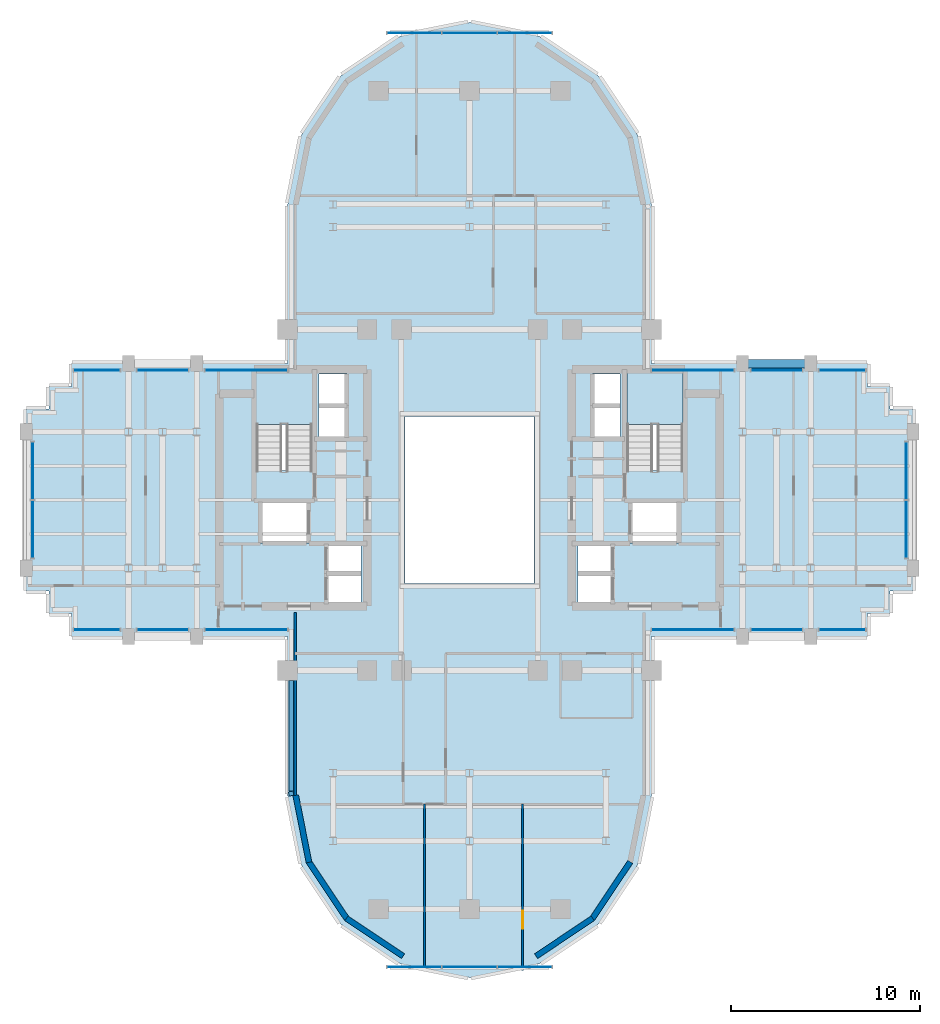
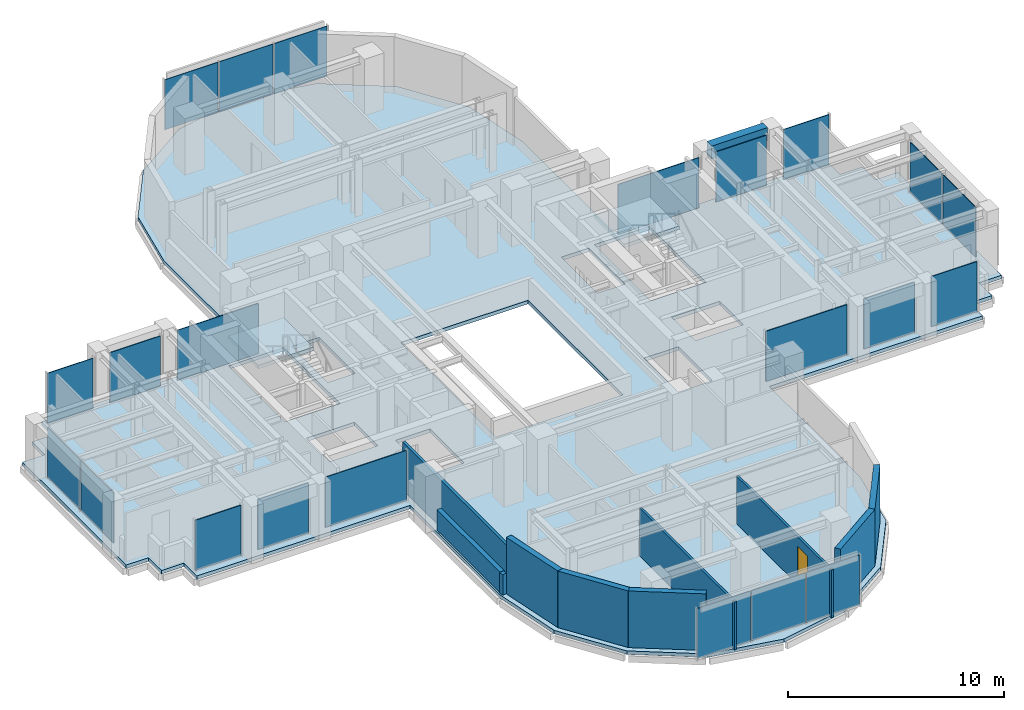
# One storey, part 7 of 14: 22 plates, 10 walls, 3 slabs, 1 beam, 1 door, 1 opening, 18 elements without a shape of their own.
"""IFC4 building model written with IfcOpenShell, lengths in metres."""

from ifc_helpers import new_model, si_unit, direction, frame, frame_2d, origin, origin_2d, place, context, subcontext, project, spatial, polyline, rectangle, outline, extrude, source, transform, mapped, material, layer, layer_set, material_profile, profile_set, type_object, element, fill, aggregate, save


model = new_model("IFC4")

# Units and contexts
model_context = context("Model", 3, precision=1e-05, world=origin(), true_north=direction((0.0, 1.0)))
body_context = subcontext(model_context, "Body", "Model", "MODEL_VIEW")
ifc_project = project(units=[si_unit("LENGTHUNIT", "METRE"), si_unit("AREAUNIT", "SQUARE_METRE"), si_unit("VOLUMEUNIT", "CUBIC_METRE"), si_unit("PLANEANGLEUNIT", "RADIAN"), si_unit("MASSUNIT", "GRAM", prefix="KILO")], contexts=[model_context])

# Site, building, storey
site_placement = place(None, origin())
site = spatial("IfcSite", under=ifc_project, at=site_placement, CompositionType="ELEMENT")
building_placement = place(site_placement, origin())
building = spatial("IfcBuilding", under=site, at=building_placement, Name="Keilestroom Media Tower", CompositionType="ELEMENT")
storey_placement = place(building_placement, frame((0.0, 0.0, 124.39990234375)))
storey = spatial("IfcBuildingStorey", under=building, at=storey_placement, Name="L33", CompositionType="ELEMENT", Elevation=124.39990234375)

# Beam
ifc_material_1 = material(Name="Precast concrete C40/50", Category="concrete")
ifc_material_profile = material_profile(ifc_material_1, rectangle(XDim=0.449951171875, YDim=0.75, at=origin_2d()), Name="PC 450x750")
ifc_profile_set = profile_set([ifc_material_profile], Name="Precast concrete C40/50")
beam_type = type_object("IfcBeamType", Name="Perimeter-Spandrel-Beam-PC-450x750", PredefinedType="SPANDREL", material=ifc_profile_set)
shared_shape_1 = source(origin(), body_context, "Body", "SweptSolid", [
    extrude(rectangle(XDim=0.449951171875, YDim=0.75, at=origin_2d()), origin(), (0.0, 0.0, 1.0), 2.989990234375),
])
beam_placement = place(storey_placement, frame((14.705078125, 7.199951171875, 2.8251953125), z_axis=(1.0, 0.0, 0.0), x_axis=(0.0, 1.0, 0.0)))
element("IfcBeam", 1, at=beam_placement, inside=storey, type_object=beam_type, Name="L33 Beam SPB-1 BM-L33-EW-027", PredefinedType="SPANDREL", context=body_context, shape_type="MappedRepresentation", body=[
    mapped(shared_shape_1, transform((0.0, 0.0, 0.0), x_axis=(1.0, 0.0, 0.0), y_axis=(0.0, 1.0, 0.0), z_axis=(0.0, 0.0, 1.0), scale=1.0)),
])

# Slab
ifc_material_2 = material(Name="Concrete C50/60", Category="concrete")
ifc_layer_1 = layer(ifc_material_2, 0.199951171875)
ifc_layer_set_1 = layer_set([ifc_layer_1], Name="Concrete C50/60")
slab_type_1 = type_object("IfcSlabType", Name="Composite-Floor-Slab-200", PredefinedType="FLOOR", material=ifc_layer_set_1)
slab_1_placement = place(storey_placement, frame((0.0, 0.0, -0.199951171875)))
element("IfcSlab", 2, at=slab_1_placement, inside=storey, type_object=slab_type_1, Name="L33 Structural Composite Floor Slab", PredefinedType="FLOOR", context=body_context, shape_type="SweptSolid", body=[
    extrude(outline(polyline([(23.39990234375, -4.800048828125), (23.39990234375, 4.800048828125), (22.199951171875, 4.800048828125), (22.199951171875, 6.0), (21.0, 6.0), (21.0, 7.199951171875), (9.60009765625, 7.199951171875), (9.60009765625, 9.60009765625), (9.60009765625, 15.60009765625), (8.869140625, 19.273681640625), (6.7880859375, 22.38818359375), (3.673828125, 24.46923828125), (0.0, 25.199951171875), (-3.673828125, 24.46923828125), (-6.7880859375, 22.38818359375), (-8.869140625, 19.273681640625), (-9.60009765625, 15.60009765625), (-9.60009765625, 9.60009765625), (-9.60009765625, 7.199951171875), (-21.0, 7.199951171875), (-21.0, 6.0), (-22.199951171875, 6.0), (-22.199951171875, 4.800048828125), (-23.39990234375, 4.800048828125), (-23.39990234375, -4.800048828125), (-22.199951171875, -4.800048828125), (-22.199951171875, -6.0), (-21.0, -6.0), (-21.0, -7.199951171875), (-9.60009765625, -7.199951171875), (-9.60009765625, -9.60009765625), (-9.60009765625, -15.60009765625), (-8.869140625, -19.273681640625), (-6.7880859375, -22.38818359375), (-3.673828125, -24.46923828125), (0.0, -25.199951171875), (3.673828125, -24.46923828125), (6.7880859375, -22.38818359375), (8.869140625, -19.273681640625), (9.60009765625, -15.60009765625), (9.60009765625, -9.60009765625), (9.60009765625, -7.199951171875), (21.0, -7.199951171875), (21.0, -6.0), (22.199951171875, -6.0), (22.199951171875, -4.800048828125), (23.39990234375, -4.800048828125)]), holes=[polyline([(-11.260009765625, 1.544921875), (-11.260009765625, 6.760009765625), (-8.300048828125, 6.760009765625), (-8.300048828125, 1.544921875), (-11.260009765625, 1.544921875)]), polyline([(-11.050048828125, -2.280029296875), (-11.050048828125, -0.10009765625), (-8.47998046875, -0.10009765625), (-8.47998046875, -2.280029296875), (-11.050048828125, -2.280029296875)]), polyline([(-7.949951171875, 3.300048828125), (-7.949951171875, 6.64990234375), (-6.47998046875, 6.64990234375), (-6.47998046875, 3.300048828125), (-7.949951171875, 3.300048828125)]), polyline([(-7.56005859375, -2.320068359375), (-5.719970703125, -2.320068359375), (-5.719970703125, -5.47998046875), (-7.56005859375, -5.47998046875), (-7.56005859375, -2.320068359375)]), polyline([(3.39990234375, -4.39990234375), (-3.39990234375, -4.39990234375), (-3.39990234375, 4.39990234375), (3.39990234375, 4.39990234375), (3.39990234375, -4.39990234375)]), polyline([(7.56005859375, -2.320068359375), (7.56005859375, -5.47998046875), (5.719970703125, -5.47998046875), (5.719970703125, -2.320068359375), (7.56005859375, -2.320068359375)]), polyline([(6.47998046875, 3.300048828125), (6.47998046875, 6.64990234375), (7.949951171875, 6.64990234375), (7.949951171875, 3.300048828125), (6.47998046875, 3.300048828125)]), polyline([(8.300048828125, 1.544921875), (8.300048828125, 6.760009765625), (11.260009765625, 6.760009765625), (11.260009765625, 1.544921875), (8.300048828125, 1.544921875)]), polyline([(8.47998046875, -2.280029296875), (8.47998046875, -0.10009765625), (11.050048828125, -0.10009765625), (11.050048828125, -2.280029296875), (8.47998046875, -2.280029296875)])]), origin(), (0.0, 0.0, 1.0), 0.199951171875),
])

# Stair, slab
ifc_material_3 = material(Name="Concrete C45/55", Category="concrete")
stair_type = type_object("IfcStairType", Name="Enclosed-Dog-Leg-Stair-ST-CORE", PredefinedType="HALF_TURN_STAIR", material=ifc_material_3)
stair_1_placement = place(storey_placement, origin())
stair_1 = element("IfcStair", 3, at=stair_1_placement, inside=storey, type_object=stair_type, Name="L33 West Core Escape Stair ST-1", PredefinedType="HALF_TURN_STAIR")
ifc_layer_2 = layer(ifc_material_3, 0.199951171875)
ifc_layer_set_2 = layer_set([ifc_layer_2], Name="Concrete C45/55")
slab_type_2 = type_object("IfcSlabType", Name="Stair-Intermediate-And-Top-Landing-Slab-200", PredefinedType="LANDING", material=ifc_layer_set_2)
slab_2_placement = place(storey_placement, frame((0.0, 0.0, 1.5)))
slab_2 = element("IfcSlab", 4, at=slab_2_placement, type_object=slab_type_2, Name="ST-1 landing 1", PredefinedType="LANDING", context=body_context, shape_type="SweptSolid", body=[
    extrude(outline(polyline([(-8.300048828125, 3.99609375), (-8.300048828125, 6.760009765625), (-11.260009765625, 6.760009765625), (-11.260009765625, 3.99609375), (-8.300048828125, 3.99609375)])), origin(), (0.0, 0.0, 1.0), 0.2001953125),
])
aggregate(stair_1, [slab_2])

stair_2_placement = place(storey_placement, origin())
stair_2 = element("IfcStair", 5, at=stair_2_placement, inside=storey, type_object=stair_type, Name="L33 East Core Escape Stair ST-2", PredefinedType="HALF_TURN_STAIR")
slab_3_placement = place(storey_placement, frame((0.0, 0.0, 1.5)))
slab_3 = element("IfcSlab", 6, at=slab_3_placement, type_object=slab_type_2, Name="ST-2 landing 1", PredefinedType="LANDING", context=body_context, shape_type="SweptSolid", body=[
    extrude(outline(polyline([(11.260009765625, 3.99609375), (11.260009765625, 6.760009765625), (8.300048828125, 6.760009765625), (8.300048828125, 3.99609375), (11.260009765625, 3.99609375)])), origin(), (0.0, 0.0, 1.0), 0.2001953125),
])
aggregate(stair_2, [slab_3])

# Curtain wall, plates
ifc_material_4 = material(Name="Anodised Aluminium Alloy", Category="aluminium")
curtain_wall_type_1 = type_object("IfcCurtainWallType", Name="Unitised-Curtain-Wall-CW-6", PredefinedType="NOTDEFINED", material=ifc_material_4)
curtain_wall_1_placement = place(storey_placement, origin())
curtain_wall_1 = element("IfcCurtainWall", 7, at=curtain_wall_1_placement, inside=storey, type_object=curtain_wall_type_1, Name="L33 Curtain Wall CW-6 CW-L33-LN-1", PredefinedType="NOTDEFINED")
ifc_material_5 = material(Name="Curved-Facet Triple Glazed Unit", Category="glass")
ifc_layer_3 = layer(ifc_material_5, 0.033935546875)
ifc_layer_set_3 = layer_set([ifc_layer_3], Name="Curved-Facet Triple Glazed Unit")
plate_type_1 = type_object("IfcPlateType", Name="Insulated-Curtain-Wall-Glazing-Panel-CW-6", PredefinedType="CURTAIN_PANEL", material=ifc_layer_set_3)
shared_shape_2 = source(origin(), body_context, "Body", "SweptSolid", [
    extrude(rectangle(XDim=2.84375, YDim=0.033935546875, at=origin_2d()), origin(), (0.0, 0.0, 1.0), 2.833984375),
])
plate_1_placement = place(storey_placement, frame((-2.9169921875, 24.64990234375, 0.072998046875), z_axis=(0.0, 0.0, 1.0), x_axis=(1.0, 0.0, 0.0)))
plate_1 = element("IfcPlate", 8, at=plate_1_placement, type_object=plate_type_1, Name="CW-6 Unitised Glazing 00", PredefinedType="CURTAIN_PANEL", context=body_context, shape_type="MappedRepresentation", body=[
    mapped(shared_shape_2, transform((0.0, 0.0, 0.0), x_axis=(1.0, 0.0, 0.0), y_axis=(0.0, 1.0, 0.0), z_axis=(0.0, 0.0, 1.0), scale=1.0)),
])
plate_2_placement = place(storey_placement, frame((2.9169921875, 24.64990234375, 0.072998046875), z_axis=(0.0, 0.0, 1.0), x_axis=(1.0, 0.0, 0.0)))
plate_2 = element("IfcPlate", 9, at=plate_2_placement, type_object=plate_type_1, Name="CW-6 Unitised Glazing 02", PredefinedType="CURTAIN_PANEL", context=body_context, shape_type="MappedRepresentation", body=[
    mapped(shared_shape_2, transform((0.0, 0.0, 0.0), x_axis=(1.0, 0.0, 0.0), y_axis=(0.0, 1.0, 0.0), z_axis=(0.0, 0.0, 1.0), scale=1.0)),
])

curtain_wall_2_placement = place(storey_placement, origin())
curtain_wall_2 = element("IfcCurtainWall", 10, at=curtain_wall_2_placement, inside=storey, type_object=curtain_wall_type_1, Name="L33 Curtain Wall CW-6 CW-L33-LS-1", PredefinedType="NOTDEFINED")
plate_3_placement = place(storey_placement, frame((-2.9169921875, -24.64990234375, 0.072998046875), z_axis=(0.0, 0.0, 1.0), x_axis=(1.0, 0.0, 0.0)))
plate_3 = element("IfcPlate", 11, at=plate_3_placement, type_object=plate_type_1, Name="CW-6 Unitised Glazing 00", PredefinedType="CURTAIN_PANEL", context=body_context, shape_type="MappedRepresentation", body=[
    mapped(shared_shape_2, transform((0.0, 0.0, 0.0), x_axis=(1.0, 0.0, 0.0), y_axis=(0.0, 1.0, 0.0), z_axis=(0.0, 0.0, 1.0), scale=1.0)),
])
plate_4_placement = place(storey_placement, frame((2.9169921875, -24.64990234375, 0.072998046875), z_axis=(0.0, 0.0, 1.0), x_axis=(1.0, 0.0, 0.0)))
plate_4 = element("IfcPlate", 12, at=plate_4_placement, type_object=plate_type_1, Name="CW-6 Unitised Glazing 02", PredefinedType="CURTAIN_PANEL", context=body_context, shape_type="MappedRepresentation", body=[
    mapped(shared_shape_2, transform((0.0, 0.0, 0.0), x_axis=(1.0, 0.0, 0.0), y_axis=(0.0, 1.0, 0.0), z_axis=(0.0, 0.0, 1.0), scale=1.0)),
])

# Plate
shared_shape_3 = source(origin(), body_context, "Body", "SweptSolid", [
    extrude(rectangle(XDim=2.876220703125, YDim=0.033935546875, at=origin_2d()), origin(), (0.0, 0.0, 1.0), 2.833984375),
])
plate_5_placement = place(storey_placement, frame((0.0, 24.64990234375, 0.072998046875), z_axis=(0.0, 0.0, 1.0), x_axis=(1.0, 0.0, 0.0)))
plate_5 = element("IfcPlate", 13, at=plate_5_placement, type_object=plate_type_1, Name="CW-6 Unitised Glazing 01", PredefinedType="CURTAIN_PANEL", context=body_context, shape_type="MappedRepresentation", body=[
    mapped(shared_shape_3, transform((0.0, 0.0, 0.0), x_axis=(1.0, 0.0, 0.0), y_axis=(0.0, 1.0, 0.0), z_axis=(0.0, 0.0, 1.0), scale=1.0)),
])

aggregate(curtain_wall_1, [plate_1, plate_5, plate_2])

plate_6_placement = place(storey_placement, frame((0.0, -24.64990234375, 0.072998046875), z_axis=(0.0, 0.0, 1.0), x_axis=(1.0, 0.0, 0.0)))
plate_6 = element("IfcPlate", 14, at=plate_6_placement, type_object=plate_type_1, Name="CW-6 Unitised Glazing 01", PredefinedType="CURTAIN_PANEL", context=body_context, shape_type="MappedRepresentation", body=[
    mapped(shared_shape_3, transform((0.0, 0.0, 0.0), x_axis=(1.0, 0.0, 0.0), y_axis=(0.0, 1.0, 0.0), z_axis=(0.0, 0.0, 1.0), scale=1.0)),
])

aggregate(curtain_wall_2, [plate_3, plate_6, plate_4])

# Curtain wall, plate
curtain_wall_type_2 = type_object("IfcCurtainWallType", Name="Unitised-Curtain-Wall-CW-2", PredefinedType="NOTDEFINED", material=ifc_material_4)
curtain_wall_3_placement = place(storey_placement, origin())
curtain_wall_3 = element("IfcCurtainWall", 15, at=curtain_wall_3_placement, inside=storey, type_object=curtain_wall_type_2, Name="L33 Curtain Wall CW-2 CW-L33-NW-1", PredefinedType="NOTDEFINED")
ifc_material_6 = material(Name="Double Glazed Low-E Unit", Category="glass")
ifc_layer_4 = layer(ifc_material_6, 0.0419921875)
ifc_layer_set_4 = layer_set([ifc_layer_4], Name="Double Glazed Low-E Unit")
plate_type_2 = type_object("IfcPlateType", Name="Insulated-Curtain-Wall-Glazing-Panel-CW-2", PredefinedType="CURTAIN_PANEL", material=ifc_layer_set_4)
shared_shape_4 = source(origin(), body_context, "Body", "SweptSolid", [
    extrude(rectangle(XDim=2.43310546875, YDim=0.0419921875, at=origin_2d()), origin(), (0.0, 0.0, 1.0), 2.833984375),
])
plate_7_placement = place(storey_placement, frame((-19.66748046875, 6.85009765625, 0.072998046875), z_axis=(0.0, 0.0, 1.0), x_axis=(1.0, 0.0, 0.0)))
plate_7 = element("IfcPlate", 16, at=plate_7_placement, type_object=plate_type_2, Name="CW-2 Unitised Glazing 00", PredefinedType="CURTAIN_PANEL", context=body_context, shape_type="MappedRepresentation", body=[
    mapped(shared_shape_4, transform((0.0, 0.0, 0.0), x_axis=(1.0, 0.0, 0.0), y_axis=(0.0, 1.0, 0.0), z_axis=(0.0, 0.0, 1.0), scale=1.0)),
])
aggregate(curtain_wall_3, [plate_7])

curtain_wall_4_placement = place(storey_placement, origin())
curtain_wall_4 = element("IfcCurtainWall", 17, at=curtain_wall_4_placement, inside=storey, type_object=curtain_wall_type_2, Name="L33 Curtain Wall CW-2 CW-L33-NE-3", PredefinedType="NOTDEFINED")
plate_8_placement = place(storey_placement, frame((19.66748046875, 6.85009765625, 0.072998046875), z_axis=(0.0, 0.0, 1.0), x_axis=(1.0, 0.0, 0.0)))
plate_8 = element("IfcPlate", 18, at=plate_8_placement, type_object=plate_type_2, Name="CW-2 Unitised Glazing 00", PredefinedType="CURTAIN_PANEL", context=body_context, shape_type="MappedRepresentation", body=[
    mapped(shared_shape_4, transform((0.0, 0.0, 0.0), x_axis=(1.0, 0.0, 0.0), y_axis=(0.0, 1.0, 0.0), z_axis=(0.0, 0.0, 1.0), scale=1.0)),
])
aggregate(curtain_wall_4, [plate_8])

curtain_wall_5_placement = place(storey_placement, origin())
curtain_wall_5 = element("IfcCurtainWall", 19, at=curtain_wall_5_placement, inside=storey, type_object=curtain_wall_type_2, Name="L33 Curtain Wall CW-2 CW-L33-SW-1", PredefinedType="NOTDEFINED")
plate_9_placement = place(storey_placement, frame((-19.66748046875, -6.85009765625, 0.072998046875), z_axis=(0.0, 0.0, 1.0), x_axis=(1.0, 0.0, 0.0)))
plate_9 = element("IfcPlate", 20, at=plate_9_placement, type_object=plate_type_2, Name="CW-2 Unitised Glazing 00", PredefinedType="CURTAIN_PANEL", context=body_context, shape_type="MappedRepresentation", body=[
    mapped(shared_shape_4, transform((0.0, 0.0, 0.0), x_axis=(1.0, 0.0, 0.0), y_axis=(0.0, 1.0, 0.0), z_axis=(0.0, 0.0, 1.0), scale=1.0)),
])
aggregate(curtain_wall_5, [plate_9])

curtain_wall_6_placement = place(storey_placement, origin())
curtain_wall_6 = element("IfcCurtainWall", 21, at=curtain_wall_6_placement, inside=storey, type_object=curtain_wall_type_2, Name="L33 Curtain Wall CW-2 CW-L33-SE-3", PredefinedType="NOTDEFINED")
plate_10_placement = place(storey_placement, frame((19.66748046875, -6.85009765625, 0.072998046875), z_axis=(0.0, 0.0, 1.0), x_axis=(1.0, 0.0, 0.0)))
plate_10 = element("IfcPlate", 22, at=plate_10_placement, type_object=plate_type_2, Name="CW-2 Unitised Glazing 00", PredefinedType="CURTAIN_PANEL", context=body_context, shape_type="MappedRepresentation", body=[
    mapped(shared_shape_4, transform((0.0, 0.0, 0.0), x_axis=(1.0, 0.0, 0.0), y_axis=(0.0, 1.0, 0.0), z_axis=(0.0, 0.0, 1.0), scale=1.0)),
])
aggregate(curtain_wall_6, [plate_10])

curtain_wall_7_placement = place(storey_placement, origin())
curtain_wall_7 = element("IfcCurtainWall", 23, at=curtain_wall_7_placement, inside=storey, type_object=curtain_wall_type_2, Name="L33 Curtain Wall CW-2 CW-L33-NW-2", PredefinedType="NOTDEFINED")
shared_shape_5 = source(origin(), body_context, "Body", "SweptSolid", [
    extrude(rectangle(XDim=2.697998046875, YDim=0.0419921875, at=origin_2d()), origin(), (0.0, 0.0, 1.0), 2.833984375),
])
plate_11_placement = place(storey_placement, frame((-16.199951171875, 6.85009765625, 0.072998046875), z_axis=(0.0, 0.0, 1.0), x_axis=(1.0, 0.0, 0.0)))
plate_11 = element("IfcPlate", 24, at=plate_11_placement, type_object=plate_type_2, Name="CW-2 Unitised Glazing 00", PredefinedType="CURTAIN_PANEL", context=body_context, shape_type="MappedRepresentation", body=[
    mapped(shared_shape_5, transform((0.0, 0.0, 0.0), x_axis=(1.0, 0.0, 0.0), y_axis=(0.0, 1.0, 0.0), z_axis=(0.0, 0.0, 1.0), scale=1.0)),
])
aggregate(curtain_wall_7, [plate_11])

curtain_wall_8_placement = place(storey_placement, origin())
curtain_wall_8 = element("IfcCurtainWall", 25, at=curtain_wall_8_placement, inside=storey, type_object=curtain_wall_type_2, Name="L33 Curtain Wall CW-2 CW-L33-NE-2", PredefinedType="NOTDEFINED")
plate_12_placement = place(storey_placement, frame((16.199951171875, 6.85009765625, 0.072998046875), z_axis=(0.0, 0.0, 1.0), x_axis=(1.0, 0.0, 0.0)))
plate_12 = element("IfcPlate", 26, at=plate_12_placement, type_object=plate_type_2, Name="CW-2 Unitised Glazing 00", PredefinedType="CURTAIN_PANEL", context=body_context, shape_type="MappedRepresentation", body=[
    mapped(shared_shape_5, transform((0.0, 0.0, 0.0), x_axis=(1.0, 0.0, 0.0), y_axis=(0.0, 1.0, 0.0), z_axis=(0.0, 0.0, 1.0), scale=1.0)),
])
aggregate(curtain_wall_8, [plate_12])

curtain_wall_9_placement = place(storey_placement, origin())
curtain_wall_9 = element("IfcCurtainWall", 27, at=curtain_wall_9_placement, inside=storey, type_object=curtain_wall_type_2, Name="L33 Curtain Wall CW-2 CW-L33-SW-2", PredefinedType="NOTDEFINED")
plate_13_placement = place(storey_placement, frame((-16.199951171875, -6.85009765625, 0.072998046875), z_axis=(0.0, 0.0, 1.0), x_axis=(1.0, 0.0, 0.0)))
plate_13 = element("IfcPlate", 28, at=plate_13_placement, type_object=plate_type_2, Name="CW-2 Unitised Glazing 00", PredefinedType="CURTAIN_PANEL", context=body_context, shape_type="MappedRepresentation", body=[
    mapped(shared_shape_5, transform((0.0, 0.0, 0.0), x_axis=(1.0, 0.0, 0.0), y_axis=(0.0, 1.0, 0.0), z_axis=(0.0, 0.0, 1.0), scale=1.0)),
])
aggregate(curtain_wall_9, [plate_13])

curtain_wall_10_placement = place(storey_placement, origin())
curtain_wall_10 = element("IfcCurtainWall", 29, at=curtain_wall_10_placement, inside=storey, type_object=curtain_wall_type_2, Name="L33 Curtain Wall CW-2 CW-L33-SE-2", PredefinedType="NOTDEFINED")
plate_14_placement = place(storey_placement, frame((16.199951171875, -6.85009765625, 0.072998046875), z_axis=(0.0, 0.0, 1.0), x_axis=(1.0, 0.0, 0.0)))
plate_14 = element("IfcPlate", 30, at=plate_14_placement, type_object=plate_type_2, Name="CW-2 Unitised Glazing 00", PredefinedType="CURTAIN_PANEL", context=body_context, shape_type="MappedRepresentation", body=[
    mapped(shared_shape_5, transform((0.0, 0.0, 0.0), x_axis=(1.0, 0.0, 0.0), y_axis=(0.0, 1.0, 0.0), z_axis=(0.0, 0.0, 1.0), scale=1.0)),
])
aggregate(curtain_wall_10, [plate_14])

curtain_wall_11_placement = place(storey_placement, origin())
curtain_wall_11 = element("IfcCurtainWall", 31, at=curtain_wall_11_placement, inside=storey, type_object=curtain_wall_type_2, Name="L33 Curtain Wall CW-2 CW-L33-NW-3", PredefinedType="NOTDEFINED")
shared_shape_6 = source(origin(), body_context, "Body", "SweptSolid", [
    extrude(rectangle(XDim=4.3330078125, YDim=0.0419921875, at=origin_2d()), origin(), (0.0, 0.0, 1.0), 2.833984375),
])
plate_15_placement = place(storey_placement, frame((-11.782470703125, 6.85009765625, 0.072998046875), z_axis=(0.0, 0.0, 1.0), x_axis=(1.0, 0.0, 0.0)))
plate_15 = element("IfcPlate", 32, at=plate_15_placement, type_object=plate_type_2, Name="CW-2 Unitised Glazing 00", PredefinedType="CURTAIN_PANEL", context=body_context, shape_type="MappedRepresentation", body=[
    mapped(shared_shape_6, transform((0.0, 0.0, 0.0), x_axis=(1.0, 0.0, 0.0), y_axis=(0.0, 1.0, 0.0), z_axis=(0.0, 0.0, 1.0), scale=1.0)),
])
aggregate(curtain_wall_11, [plate_15])

curtain_wall_12_placement = place(storey_placement, origin())
curtain_wall_12 = element("IfcCurtainWall", 33, at=curtain_wall_12_placement, inside=storey, type_object=curtain_wall_type_2, Name="L33 Curtain Wall CW-2 CW-L33-NE-1", PredefinedType="NOTDEFINED")
plate_16_placement = place(storey_placement, frame((11.782470703125, 6.85009765625, 0.072998046875), z_axis=(0.0, 0.0, 1.0), x_axis=(1.0, 0.0, 0.0)))
plate_16 = element("IfcPlate", 34, at=plate_16_placement, type_object=plate_type_2, Name="CW-2 Unitised Glazing 00", PredefinedType="CURTAIN_PANEL", context=body_context, shape_type="MappedRepresentation", body=[
    mapped(shared_shape_6, transform((0.0, 0.0, 0.0), x_axis=(1.0, 0.0, 0.0), y_axis=(0.0, 1.0, 0.0), z_axis=(0.0, 0.0, 1.0), scale=1.0)),
])
aggregate(curtain_wall_12, [plate_16])

curtain_wall_13_placement = place(storey_placement, origin())
curtain_wall_13 = element("IfcCurtainWall", 35, at=curtain_wall_13_placement, inside=storey, type_object=curtain_wall_type_2, Name="L33 Curtain Wall CW-2 CW-L33-SW-3", PredefinedType="NOTDEFINED")
plate_17_placement = place(storey_placement, frame((-11.782470703125, -6.85009765625, 0.072998046875), z_axis=(0.0, 0.0, 1.0), x_axis=(1.0, 0.0, 0.0)))
plate_17 = element("IfcPlate", 36, at=plate_17_placement, type_object=plate_type_2, Name="CW-2 Unitised Glazing 00", PredefinedType="CURTAIN_PANEL", context=body_context, shape_type="MappedRepresentation", body=[
    mapped(shared_shape_6, transform((0.0, 0.0, 0.0), x_axis=(1.0, 0.0, 0.0), y_axis=(0.0, 1.0, 0.0), z_axis=(0.0, 0.0, 1.0), scale=1.0)),
])
aggregate(curtain_wall_13, [plate_17])

curtain_wall_14_placement = place(storey_placement, origin())
curtain_wall_14 = element("IfcCurtainWall", 37, at=curtain_wall_14_placement, inside=storey, type_object=curtain_wall_type_2, Name="L33 Curtain Wall CW-2 CW-L33-SE-1", PredefinedType="NOTDEFINED")
plate_18_placement = place(storey_placement, frame((11.782470703125, -6.85009765625, 0.072998046875), z_axis=(0.0, 0.0, 1.0), x_axis=(1.0, 0.0, 0.0)))
plate_18 = element("IfcPlate", 38, at=plate_18_placement, type_object=plate_type_2, Name="CW-2 Unitised Glazing 00", PredefinedType="CURTAIN_PANEL", context=body_context, shape_type="MappedRepresentation", body=[
    mapped(shared_shape_6, transform((0.0, 0.0, 0.0), x_axis=(1.0, 0.0, 0.0), y_axis=(0.0, 1.0, 0.0), z_axis=(0.0, 0.0, 1.0), scale=1.0)),
])
aggregate(curtain_wall_14, [plate_18])

# Curtain wall, plates
curtain_wall_15_placement = place(storey_placement, origin())
curtain_wall_15 = element("IfcCurtainWall", 39, at=curtain_wall_15_placement, inside=storey, type_object=curtain_wall_type_2, Name="L33 Curtain Wall CW-2 CW-L33-W-1", PredefinedType="NOTDEFINED")
shared_shape_7 = source(origin(), body_context, "Body", "SweptSolid", [
    extrude(rectangle(XDim=3.01806640625, YDim=0.0419921875, at=origin_2d()), origin(), (0.0, 0.0, 1.0), 2.833984375),
])
plate_19_placement = place(storey_placement, frame((-23.050048828125, -1.5400390625, 0.072998046875), z_axis=(0.0, 0.0, 1.0), x_axis=(0.0, 1.0, 0.0)))
plate_19 = element("IfcPlate", 40, at=plate_19_placement, type_object=plate_type_2, Name="CW-2 Unitised Glazing 00", PredefinedType="CURTAIN_PANEL", context=body_context, shape_type="MappedRepresentation", body=[
    mapped(shared_shape_7, transform((0.0, 0.0, 0.0), x_axis=(1.0, 0.0, 0.0), y_axis=(0.0, 1.0, 0.0), z_axis=(0.0, 0.0, 1.0), scale=1.0)),
])
plate_20_placement = place(storey_placement, frame((-23.050048828125, 1.5400390625, 0.072998046875), z_axis=(0.0, 0.0, 1.0), x_axis=(0.0, 1.0, 0.0)))
plate_20 = element("IfcPlate", 41, at=plate_20_placement, type_object=plate_type_2, Name="CW-2 Unitised Glazing 01", PredefinedType="CURTAIN_PANEL", context=body_context, shape_type="MappedRepresentation", body=[
    mapped(shared_shape_7, transform((0.0, 0.0, 0.0), x_axis=(1.0, 0.0, 0.0), y_axis=(0.0, 1.0, 0.0), z_axis=(0.0, 0.0, 1.0), scale=1.0)),
])
aggregate(curtain_wall_15, [plate_19, plate_20])

curtain_wall_16_placement = place(storey_placement, origin())
curtain_wall_16 = element("IfcCurtainWall", 42, at=curtain_wall_16_placement, inside=storey, type_object=curtain_wall_type_2, Name="L33 Curtain Wall CW-2 CW-L33-E-1", PredefinedType="NOTDEFINED")
plate_21_placement = place(storey_placement, frame((23.050048828125, -1.5400390625, 0.072998046875), z_axis=(0.0, 0.0, 1.0), x_axis=(0.0, 1.0, 0.0)))
plate_21 = element("IfcPlate", 43, at=plate_21_placement, type_object=plate_type_2, Name="CW-2 Unitised Glazing 00", PredefinedType="CURTAIN_PANEL", context=body_context, shape_type="MappedRepresentation", body=[
    mapped(shared_shape_7, transform((0.0, 0.0, 0.0), x_axis=(1.0, 0.0, 0.0), y_axis=(0.0, 1.0, 0.0), z_axis=(0.0, 0.0, 1.0), scale=1.0)),
])
plate_22_placement = place(storey_placement, frame((23.050048828125, 1.5400390625, 0.072998046875), z_axis=(0.0, 0.0, 1.0), x_axis=(0.0, 1.0, 0.0)))
plate_22 = element("IfcPlate", 44, at=plate_22_placement, type_object=plate_type_2, Name="CW-2 Unitised Glazing 01", PredefinedType="CURTAIN_PANEL", context=body_context, shape_type="MappedRepresentation", body=[
    mapped(shared_shape_7, transform((0.0, 0.0, 0.0), x_axis=(1.0, 0.0, 0.0), y_axis=(0.0, 1.0, 0.0), z_axis=(0.0, 0.0, 1.0), scale=1.0)),
])
aggregate(curtain_wall_16, [plate_21, plate_22])

# Walls
ifc_layer_5 = layer(ifc_material_1, 0.300048828125)
ifc_layer_set_5 = layer_set([ifc_layer_5], Name="Precast concrete C40/50")
wall_type_1 = type_object("IfcWallType", Name="Exterior-Masonry-Spandrel-Wall-300", PredefinedType="SOLIDWALL", material=ifc_layer_set_5)
for number, where, z_axis, x_axis, name in (
    (45, (-9.1748046875, -15.585205078125, 0.0), (0.0, 0.0, 1.0), (0.195114232679, -0.980780523974, 0.0), "L33 Lobe Facet Precast Frame Wall 07"),
    (46, (-8.48193359375, -19.097412109375, 0.0), (0.0, 0.0, 1.0), (0.555574187116, -0.831466970246, 0.0), "L33 Lobe Facet Precast Frame Wall 08"),
):
    element("IfcWall", number, at=place(storey_placement, frame(where, z_axis=z_axis, x_axis=x_axis)), inside=storey, type_object=wall_type_1, Name=name, PredefinedType="SOLIDWALL", context=body_context, shape_type="SweptSolid", body=[
        extrude(rectangle(XDim=3.608642578125, YDim=0.300048828125, at=frame_2d((1.80419921875, 0.0))), origin(), (0.0, 0.0, 1.0), 3.2001953125),
    ])
for number, where, z_axis, x_axis, name in (
    (47, (-6.497802734375, -22.0771484375, 0.0), (0.0, 0.0, 1.0), (0.8314749531, -0.555562239868, 0.0), "L33 Lobe Facet Precast Frame Wall 09"),
    (48, (3.510009765625, -24.073486328125, 0.0), (0.0, 0.0, 1.0), (0.8314749531, 0.555562239868, 0.0), "L33 Lobe Facet Precast Frame Wall 10"),
):
    element("IfcWall", number, at=place(storey_placement, frame(where, z_axis=z_axis, x_axis=x_axis)), inside=storey, type_object=wall_type_1, Name=name, PredefinedType="SOLIDWALL", context=body_context, shape_type="SweptSolid", body=[
        extrude(rectangle(XDim=3.59326171875, YDim=0.300048828125, at=frame_2d((1.796630859375, 0.0))), origin(), (0.0, 0.0, 1.0), 3.2001953125),
    ])
wall_1_placement = place(storey_placement, frame((6.47705078125, -22.097900390625, 0.0), z_axis=(0.0, 0.0, 1.0), x_axis=(0.555574187116, 0.831466970246, 0.0)))
element("IfcWall", 49, at=wall_1_placement, inside=storey, type_object=wall_type_1, Name="L33 Lobe Facet Precast Frame Wall 11", PredefinedType="SOLIDWALL", context=body_context, shape_type="SweptSolid", body=[
    extrude(rectangle(XDim=3.608642578125, YDim=0.300048828125, at=frame_2d((1.80419921875, 0.0))), origin(), (0.0, 0.0, 1.0), 3.2001953125),
])
ifc_material_7 = material(Name="Gypsum Plasterboard & Steel Stud", Category="steel")
ifc_layer_6 = layer(ifc_material_7, 0.1201171875)
ifc_layer_set_6 = layer_set([ifc_layer_6], Name="Gypsum Plasterboard & Steel Stud")
wall_type_2 = type_object("IfcWallType", Name="Interior-Partition-Wall-120", PredefinedType="PARTITIONING", material=ifc_layer_set_6)
wall_2_placement = place(storey_placement, frame((-2.3798828125, -24.820068359375, 0.0), z_axis=(0.0, 0.0, 1.0), x_axis=(0.0, 1.0, 0.0)))
element("IfcWall", 50, at=wall_2_placement, inside=storey, type_object=wall_type_2, Name="L33 Interior Wall WP-L33-SL-TV1", PredefinedType="PARTITIONING", context=body_context, shape_type="SweptSolid", body=[
    extrude(rectangle(XDim=8.77001953125, YDim=0.1201171875, at=frame_2d((4.385009765625, 0.0))), origin(), (0.0, 0.0, 1.0), 2.7001953125),
])

# Wall, opening, door
wall_3_placement = place(storey_placement, frame((2.800048828125, -24.820068359375, 0.0), z_axis=(0.0, 0.0, 1.0), x_axis=(0.0, 1.0, 0.0)))
wall_3 = element("IfcWall", 51, at=wall_3_placement, inside=storey, type_object=wall_type_2, Name="L33 Interior Wall WP-L33-SL-TV2", PredefinedType="PARTITIONING", context=body_context, shape_type="SweptSolid", body=[
    extrude(rectangle(XDim=8.77001953125, YDim=0.1201171875, at=frame_2d((4.385009765625, 0.0))), origin(), (0.0, 0.0, 1.0), 2.7001953125),
])
opening_placement = place(wall_3_placement, frame((2.199951171875, 0.0, 0.0)))
opening = element("IfcOpeningElement", 52, at=opening_placement, cuts=wall_3, Name="Opening DI-03", PredefinedType="OPENING", context=body_context, shape_type="SweptSolid", body=[
    extrude(rectangle(XDim=0.949951171875, YDim=2.14990234375, at=frame_2d((0.47509765625, 1.074951171875))), frame((0.0, 0.070068359375, 0.0), z_axis=(0.0, -1.0, 0.0), x_axis=(1.0, 0.0, 0.0)), (0.0, 0.0, 1.0), 0.14013671875),
])
ifc_material_8 = material(Name="Lacquered European Oak Leaf", Category="wood")
door_type = type_object("IfcDoorType", Name="Interior-Room-And-Suite-Door-DI-03", OperationType="NOTDEFINED", PredefinedType="DOOR", material=ifc_material_8)
shared_shape_8 = source(origin(), body_context, "Body", "SweptSolid", [
    extrude(rectangle(XDim=0.949951171875, YDim=2.14990234375, at=frame_2d((0.47509765625, 1.074951171875))), frame((0.0, 0.02490234375, 0.0), z_axis=(0.0, -1.0, 0.0), x_axis=(1.0, 0.0, 0.0)), (0.0, 0.0, 1.0), 0.050048828125),
])
door_placement = place(opening_placement, origin())
door = element("IfcDoor", 53, at=door_placement, inside=storey, type_object=door_type, Name="L33 Interior Door DI-L33-DSL-TIP3", OperationType="SINGLE_SWING_LEFT", OverallHeight=2.14990234375, OverallWidth=0.949951171875, PredefinedType="DOOR", context=body_context, shape_type="MappedRepresentation", body=[
    mapped(shared_shape_8, transform((0.0, 0.0, 0.0), x_axis=(1.0, 0.0, 0.0), y_axis=(0.0, 1.0, 0.0), z_axis=(0.0, 0.0, 1.0), scale=1.0)),
])
fill(opening, door)

# Walls
ifc_layer_7 = layer(ifc_material_7, 0.14990234375)
ifc_layer_set_7 = layer_set([ifc_layer_7], Name="Gypsum Plasterboard & Steel Stud")
wall_type_3 = type_object("IfcWallType", Name="Interior-Partition-Wall-150", PredefinedType="PARTITIONING", material=ifc_layer_set_7)
wall_4_placement = place(storey_placement, frame((-9.199951171875, -15.679931640625, 0.0), z_axis=(0.0, 0.0, 1.0), x_axis=(0.0, 1.0, 0.0)))
element("IfcWall", 54, at=wall_4_placement, inside=storey, type_object=wall_type_3, Name="L33 Interior Wall WP-L33-SL-CHKW", PredefinedType="PARTITIONING", context=body_context, shape_type="SweptSolid", body=[
    extrude(rectangle(XDim=9.739990234375, YDim=0.14990234375, at=frame_2d((4.8701171875, 0.0))), origin(), (0.0, 0.0, 1.0), 2.7001953125),
])
ifc_layer_8 = layer(ifc_material_1, 0.239990234375)
ifc_layer_set_8 = layer_set([ifc_layer_8], Name="Precast concrete C40/50")
wall_type_4 = type_object("IfcWallType", Name="Roof-And-Terrace-Parapet-Wall-240", PredefinedType="PARAPET", material=ifc_layer_set_8)
wall_5_placement = place(storey_placement, frame((-9.395263671875, -15.604248046875, 0.0), z_axis=(0.0, 0.0, 1.0), x_axis=(-0.194652052864, 0.980872355771, 0.0)))
element("IfcWall", 55, at=wall_5_placement, inside=storey, type_object=wall_type_4, Name="L33 Perimeter Edge Parapet Wall 07", PredefinedType="PARAPET", context=body_context, shape_type="SweptSolid", body=[
    extrude(rectangle(XDim=0.224609375, YDim=0.239990234375, at=frame_2d((0.1123046875, 0.0))), origin(), (0.0, 0.0, 1.0), 1.150146484375),
])
wall_6_placement = place(storey_placement, frame((-9.39990234375, -15.357666015625, 0.0), z_axis=(0.0, 0.0, 1.0), x_axis=(0.0, 1.0, 0.0)))
element("IfcWall", 56, at=wall_6_placement, inside=storey, type_object=wall_type_4, Name="L33 Perimeter Edge Parapet Wall 08", PredefinedType="PARAPET", context=body_context, shape_type="SweptSolid", body=[
    extrude(rectangle(XDim=5.82958984375, YDim=0.239990234375, at=frame_2d((2.914794921875, 0.0))), origin(), (0.0, 0.0, 1.0), 1.150146484375),
])

save(model, "model.ifc")
